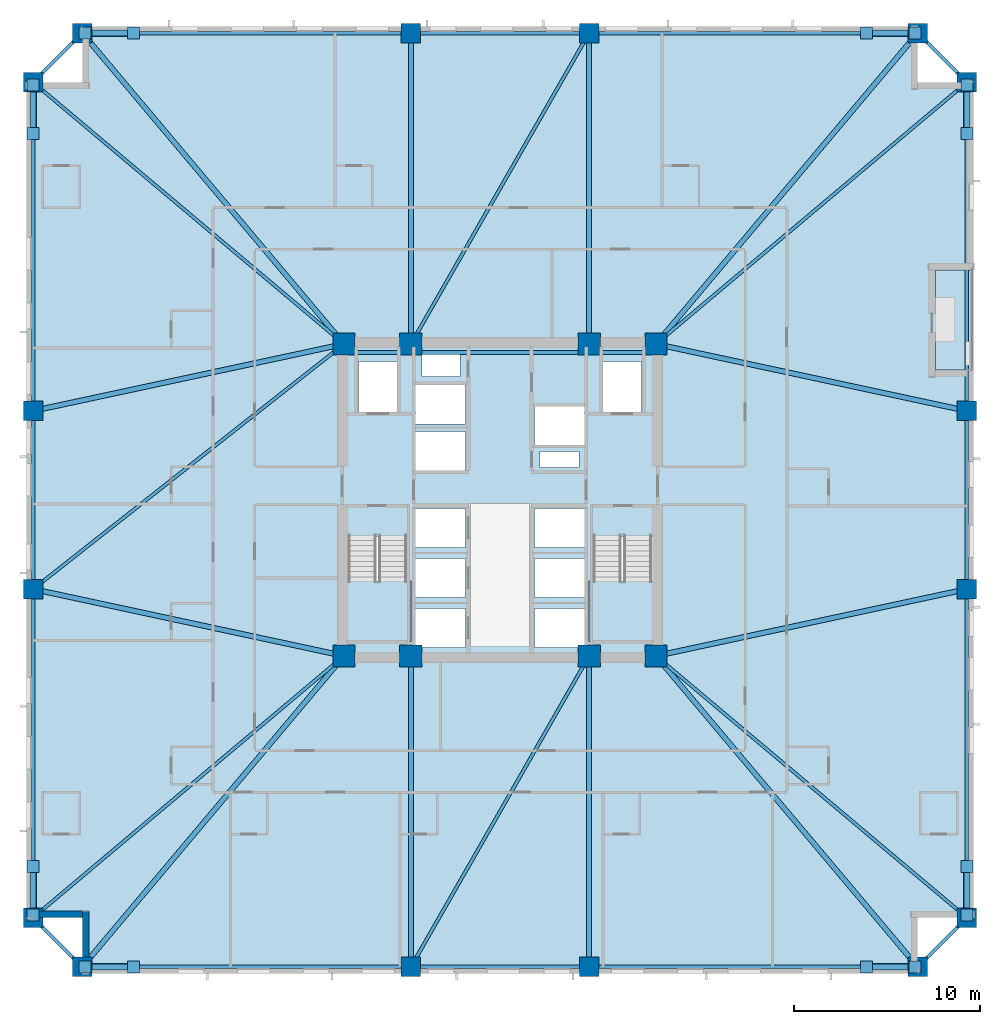
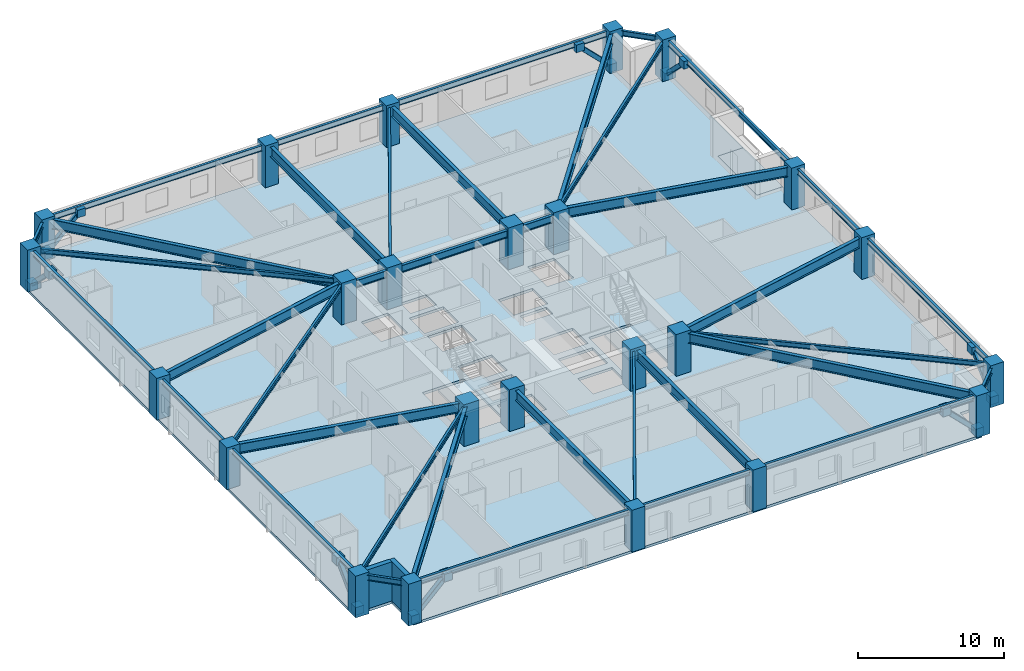
# One storey, part 1 of 12: 38 beams, 24 columns, 16 plates, 8 members, 4 slabs, 2 walls, 2 elements without a shape of their own.
"""IFC4 building model written with IfcOpenShell, lengths in metres."""

import ifcopenshell
import ifcopenshell.guid

model = None  # the IFC model being written
_history = None  # IfcOwnerHistory: only IFC2X3 demands one
_inside = {}  # id of a spatial element -> (the spatial element, [elements in it])
_under = {}  # id of a project, library or spatial element -> (it, [spatial elements below it])
_declared = {}  # id of a project -> (the project, [libraries it declares])
_typed = {}  # id of a type object -> (the type object, [elements of that type])
_made_of = {}  # id of a material, layer set ... -> (it, [elements and type objects made of it])


def new_model(schema):
    """Start an empty IFC model of exactly this schema.

    Asked for "IFC4X3", IfcOpenShell would pick the latest addendum, in which some entities
    have other attributes; the version numbers below select the first issue.
    IFC2X3 requires an IfcOwnerHistory on every rooted entity: one is made here for all.
    """
    global model, _history
    if schema == "IFC4X3":
        model = ifcopenshell.file(schema_version=(4, 3, 0, 0))
    else:
        model = ifcopenshell.file(schema=schema)
    _inside.clear()
    _under.clear()
    _declared.clear()
    _typed.clear()
    _made_of.clear()
    _history = None
    if model.schema == "IFC2X3":
        org = make("IfcOrganization", Name="unknown")
        user = make(
            "IfcPersonAndOrganization",
            ThePerson=make("IfcPerson", FamilyName="unknown"),
            TheOrganization=org,
        )
        app = make(
            "IfcApplication",
            ApplicationDeveloper=org,
            Version="unknown",
            ApplicationFullName="unknown",
            ApplicationIdentifier="unknown",
        )
        _history = make(
            "IfcOwnerHistory",
            OwningUser=user,
            OwningApplication=app,
            ChangeAction="ADDED",
            CreationDate=0,
        )
    return model


def make(cls, **values):
    """One entity of the class cls with the attributes given. An attribute that is None is left unset."""
    return model.create_entity(
        cls, **{name: value for name, value in values.items() if value is not None}
    )


def rooted(cls, **values):
    """An entity with a GlobalId (a new one), such as an element, a storey or a relation."""
    return make(cls, GlobalId=ifcopenshell.guid.new(), OwnerHistory=_history, **values)


def si_unit(unit_type, name, prefix=None):
    """IfcSIUnit, for example si_unit("LENGTHUNIT", "METRE", prefix="MILLI")."""
    return make("IfcSIUnit", UnitType=unit_type, Prefix=prefix, Name=name)


def assignment(units):
    """IfcUnitAssignment: the units of a project."""
    return None if units is None else make("IfcUnitAssignment", Units=units)


def point(xyz):
    """IfcCartesianPoint."""
    return None if xyz is None else make("IfcCartesianPoint", Coordinates=xyz)


def direction(xyz):
    """IfcDirection."""
    return None if xyz is None else make("IfcDirection", DirectionRatios=xyz)


def frame(location, z_axis=None, x_axis=None):
    """IfcAxis2Placement3D, a coordinate frame: its origin and axes. An axis left out is left unset."""
    return make(
        "IfcAxis2Placement3D",
        Location=point(location),
        Axis=direction(z_axis),
        RefDirection=direction(x_axis),
    )


def frame_2d(location, x_axis=None):
    """IfcAxis2Placement2D, a coordinate frame in the plane: its origin and x axis."""
    return make(
        "IfcAxis2Placement2D", Location=point(location), RefDirection=direction(x_axis)
    )


def origin():
    """The frame at (0, 0, 0) with its axes left unset."""
    return frame((0.0, 0.0, 0.0))


def origin_2d():
    """The frame at (0, 0) in the plane with its x axis left unset."""
    return frame_2d((0.0, 0.0))


def place(relative_to, where):
    """IfcLocalPlacement: puts the frame where relative to a parent placement (None: the world)."""
    return make(
        "IfcLocalPlacement", PlacementRelTo=relative_to, RelativePlacement=where
    )


def context(
    kind, dimensions, precision=None, world=None, true_north=None, identifier=None
):
    """IfcGeometricRepresentationContext, for example the 3D "Model" context."""
    return make(
        "IfcGeometricRepresentationContext",
        ContextIdentifier=identifier,
        ContextType=kind,
        CoordinateSpaceDimension=dimensions,
        Precision=precision,
        WorldCoordinateSystem=world,
        TrueNorth=true_north,
    )


def subcontext(parent, identifier, kind, view, scale=None):
    """IfcGeometricRepresentationSubContext, for example "Body" below "Model"."""
    return make(
        "IfcGeometricRepresentationSubContext",
        ContextIdentifier=identifier,
        ContextType=kind,
        ParentContext=parent,
        TargetScale=scale,
        TargetView=view,
    )


def project(units=None, contexts=None):
    """IfcProject with its units and contexts."""
    return rooted(
        "IfcProject",
        Name="project",
        RepresentationContexts=contexts,
        UnitsInContext=assignment(units),
    )


def spatial(cls, under=None, at=None, **own):
    """A site, building, storey or space (cls), placed at a placement, below another one or the project."""
    s = rooted(cls, ObjectPlacement=at, **own)
    if under is not None:
        _under.setdefault(under.id(), (under, []))[1].append(s)
    return s


def polyline(points):
    """IfcPolyline through the points."""
    return make("IfcPolyline", Points=[point(p) for p in points])


def profile(cls, at=None, kind="AREA", **sizes):
    """A parametric profile (cls). Its sizes go by their IFC names, for example OverallWidth=200.0."""
    return make(cls, ProfileType=kind, Position=at, **sizes)


def rectangle(**sizes):
    """IfcRectangleProfileDef."""
    return profile("IfcRectangleProfileDef", **sizes)


def hollow_rectangle(**sizes):
    """IfcRectangleHollowProfileDef."""
    return profile("IfcRectangleHollowProfileDef", **sizes)


def i_section(**sizes):
    """IfcIShapeProfileDef."""
    return profile("IfcIShapeProfileDef", **sizes)


def outline(outer, holes=None, kind="AREA"):
    """IfcArbitraryClosedProfileDef: a profile drawn as a closed curve; with holes, ...WithVoids."""
    if holes is None:
        return make("IfcArbitraryClosedProfileDef", ProfileType=kind, OuterCurve=outer)
    return make(
        "IfcArbitraryProfileDefWithVoids",
        ProfileType=kind,
        OuterCurve=outer,
        InnerCurves=holes,
    )


def extrude(swept, where, along, depth):
    """IfcExtrudedAreaSolid: the profile swept, set in the frame where, extruded along a direction by depth."""
    return make(
        "IfcExtrudedAreaSolid",
        SweptArea=swept,
        Position=where,
        ExtrudedDirection=direction(along),
        Depth=depth,
    )


def shape(context_of_items, identifier, shape_type, items):
    """IfcShapeRepresentation: the items that make up one representation, for example the "Body"."""
    return make(
        "IfcShapeRepresentation",
        ContextOfItems=context_of_items,
        RepresentationIdentifier=identifier,
        RepresentationType=shape_type,
        Items=items,
    )


def material(Name=None, Category=None):
    """IfcMaterial."""
    return make("IfcMaterial", Name=Name, Category=Category)


def layer(
    of_material, thickness, ventilated=None, Name=None, Category=None, Priority=None
):
    """IfcMaterialLayer: one layer of a wall or slab, of a material (None: an air gap)."""
    return make(
        "IfcMaterialLayer",
        Material=of_material,
        LayerThickness=thickness,
        IsVentilated=ventilated,
        Name=Name,
        Category=Category,
        Priority=Priority,
    )


def layer_set(layers, Name=None):
    """IfcMaterialLayerSet."""
    return make("IfcMaterialLayerSet", MaterialLayers=layers, LayerSetName=Name)


def material_profile(
    of_material, cross_section, Name=None, Category=None, Priority=None
):
    """IfcMaterialProfile: a cross section and its material."""
    return make(
        "IfcMaterialProfile",
        Name=Name,
        Material=of_material,
        Profile=cross_section,
        Priority=Priority,
        Category=Category,
    )


def profile_set(profiles, Name=None, composite=None):
    """IfcMaterialProfileSet."""
    return make(
        "IfcMaterialProfileSet",
        Name=Name,
        MaterialProfiles=profiles,
        CompositeProfile=composite,
    )


def made_of(thing, what):
    """Note that an element or type object is made of a material, layer set ...; save() writes the relation."""
    if what is not None:
        _made_of.setdefault(what.id(), (what, []))[1].append(thing)
    return thing


def type_object(cls, material=None, **own):
    """A type object (cls), such as IfcWallType, which elements share."""
    return made_of(rooted(cls, **own), material)


def element(
    cls,
    number,
    at=None,
    inside=None,
    cuts=None,
    type_object=None,
    material=None,
    context=None,
    identifier="Body",
    shape_type=None,
    held_by="IfcProductDefinitionShape",
    body=None,
    shapes=None,
    **own,
):
    """One element of the class cls, such as IfcWall. Its Tag is "e" and its number.

    at: its placement. inside: the storey or other place that contains it. cuts: it is an
    opening in that element (IfcRelVoidsElement). A single representation is given by context,
    identifier, shape_type and body (its items); several are given by shapes. held_by: the class
    of the entity that holds the representations. save() writes the other relations.
    """
    e = rooted(cls, Tag="e%d" % number, ObjectPlacement=at, **own)
    if body is not None:
        shapes = [shape(context, identifier, shape_type, body)]
    if shapes is not None:
        e.Representation = make(held_by, Representations=shapes)
    if inside is not None:
        _inside.setdefault(inside.id(), (inside, []))[1].append(e)
    if cuts is not None:
        rooted(
            "IfcRelVoidsElement", RelatingBuildingElement=cuts, RelatedOpeningElement=e
        )
    if type_object is not None:
        _typed.setdefault(type_object.id(), (type_object, []))[1].append(e)
    return made_of(e, material)


def aggregate(whole, parts):
    """IfcRelAggregates: a whole, such as a stair, and the parts it consists of."""
    return rooted("IfcRelAggregates", RelatingObject=whole, RelatedObjects=parts)


def save(model, path):
    """Write the relations noted so far, then the file.

    IfcRelAggregates (storeys below a building ...), IfcRelContainedInSpatialStructure (elements
    in a storey), IfcRelDefinesByType, IfcRelAssociatesMaterial and IfcRelDeclares: one each for
    every whole, place, type object, material and project.
    """
    for whole, parts in _under.values():
        aggregate(whole, parts)
    for where, things in _inside.values():
        rooted(
            "IfcRelContainedInSpatialStructure",
            RelatedElements=things,
            RelatingStructure=where,
        )
    for kind, things in _typed.values():
        rooted("IfcRelDefinesByType", RelatedObjects=things, RelatingType=kind)
    for what, things in _made_of.values():
        rooted("IfcRelAssociatesMaterial", RelatedObjects=things, RelatingMaterial=what)
    for by, libraries in _declared.values():
        rooted("IfcRelDeclares", RelatingContext=by, RelatedDefinitions=libraries)
    model.write(path)


model = new_model("IFC4")

# Units and contexts
model_context = context("Model", 3, precision=1e-05, world=origin(), true_north=direction((0.0, 1.0)))
body_context = subcontext(model_context, "Body", "Model", "MODEL_VIEW")
ifc_project = project(units=[si_unit("LENGTHUNIT", "METRE"), si_unit("AREAUNIT", "SQUARE_METRE"), si_unit("VOLUMEUNIT", "CUBIC_METRE"), si_unit("PLANEANGLEUNIT", "RADIAN"), si_unit("MASSUNIT", "GRAM", prefix="KILO")], contexts=[model_context])

# Site, building, storey
site_placement = place(None, origin())
site = spatial("IfcSite", under=ifc_project, at=site_placement, CompositionType="ELEMENT")
building_placement = place(site_placement, origin())
building = spatial("IfcBuilding", under=site, at=building_placement, Name="Cairnveth Concourse Tower", CompositionType="ELEMENT")
storey_placement = place(building_placement, frame((0.0, 0.0, 83.0)))
storey = spatial("IfcBuildingStorey", under=building, at=storey_placement, Name="L22", CompositionType="ELEMENT", Elevation=83.0)

# Columns
ifc_material_1 = material(Name="Concrete N80 (80 MPa)", Category="concrete")
ifc_material_profile_1 = material_profile(ifc_material_1, rectangle(XDim=1.199951171875, YDim=1.199951171875, at=origin_2d()), Name="RC-COL-1200x1200")
ifc_profile_set_1 = profile_set([ifc_material_profile_1], Name="Concrete N80 (80 MPa)")
column_type_1 = type_object("IfcColumnType", Name="CORE COLUMN 1200X1200", PredefinedType="COLUMN", material=ifc_profile_set_1)
for number, where, z_axis, x_axis, name in (
    (1, (43.60009765625, 30.60009765625, 0.0), (0.0, 0.0, 1.0), (1.0, 0.0, 0.0), "Column CC1 L22"),
    (2, (47.199951171875, 30.60009765625, 0.0), (0.0, 0.0, 1.0), (1.0, 0.0, 0.0), "Column CC2 L22"),
    (3, (56.800048828125, 30.60009765625, 0.0), (0.0, 0.0, 1.0), (1.0, 0.0, 0.0), "Column CC3 L22"),
    (4, (60.39990234375, 30.60009765625, 0.0), (0.0, 0.0, 1.0), (1.0, 0.0, 0.0), "Column CC4 L22"),
    (5, (43.60009765625, 47.39990234375, 0.0), (0.0, 0.0, 1.0), (1.0, 0.0, 0.0), "Column CC5 L22"),
    (6, (47.199951171875, 47.39990234375, 0.0), (0.0, 0.0, 1.0), (1.0, 0.0, 0.0), "Column CC6 L22"),
    (7, (56.800048828125, 47.39990234375, 0.0), (0.0, 0.0, 1.0), (1.0, 0.0, 0.0), "Column CC7 L22"),
    (8, (60.39990234375, 47.39990234375, 0.0), (0.0, 0.0, 1.0), (1.0, 0.0, 0.0), "Column CC8 L22"),
):
    element("IfcColumn", number, at=place(storey_placement, frame(where, z_axis=z_axis, x_axis=x_axis)), inside=storey, type_object=column_type_1, Name=name, PredefinedType="COLUMN", context=body_context, shape_type="SweptSolid", body=[
        extrude(rectangle(XDim=1.199951171875, YDim=1.199951171875, at=origin_2d()), origin(), (0.0, 0.0, 1.0), 3.5),
    ])
ifc_material_2 = material(Name="Concrete N65 (65 MPa)", Category="concrete")
ifc_material_profile_2 = material_profile(ifc_material_2, rectangle(XDim=1.050048828125, YDim=1.050048828125, at=origin_2d()), Name="RC-COL-1050x1050")
ifc_profile_set_2 = profile_set([ifc_material_profile_2], Name="Concrete N65 (65 MPa)")
column_type_2 = type_object("IfcColumnType", Name="PERIMETER PIER COLUMN 1050X1050", PredefinedType="COLUMN", material=ifc_profile_set_2)
for number, where, z_axis, x_axis, name in (
    (9, (29.5, 13.85009765625, 0.0), (0.0, 0.0, 1.0), (1.0, 0.0, 0.0), "Column P-S1 L22"),
    (10, (47.199951171875, 13.85009765625, 0.0), (0.0, 0.0, 1.0), (1.0, 0.0, 0.0), "Column P-S2 L22"),
    (11, (56.800048828125, 13.85009765625, 0.0), (0.0, 0.0, 1.0), (1.0, 0.0, 0.0), "Column P-S3 L22"),
    (12, (74.5, 13.85009765625, 0.0), (0.0, 0.0, 1.0), (1.0, 0.0, 0.0), "Column P-S4 L22"),
    (13, (77.14990234375, 16.5, 0.0), (0.0, 0.0, 1.0), (0.0, 1.0, 0.0), "Column P-E1 L22"),
    (14, (77.14990234375, 34.199951171875, 0.0), (0.0, 0.0, 1.0), (0.0, 1.0, 0.0), "Column P-E2 L22"),
    (15, (77.14990234375, 43.800048828125, 0.0), (0.0, 0.0, 1.0), (0.0, 1.0, 0.0), "Column P-E3 L22"),
    (16, (77.14990234375, 61.5, 0.0), (0.0, 0.0, 1.0), (0.0, 1.0, 0.0), "Column P-E4 L22"),
    (17, (74.5, 64.14990234375, 0.0), (0.0, 0.0, 1.0), (1.0, 0.0, 0.0), "Column P-N1 L22"),
    (18, (56.800048828125, 64.14990234375, 0.0), (0.0, 0.0, 1.0), (1.0, 0.0, 0.0), "Column P-N2 L22"),
    (19, (47.199951171875, 64.14990234375, 0.0), (0.0, 0.0, 1.0), (1.0, 0.0, 0.0), "Column P-N3 L22"),
    (20, (29.5, 64.14990234375, 0.0), (0.0, 0.0, 1.0), (1.0, 0.0, 0.0), "Column P-N4 L22"),
    (21, (26.85009765625, 61.5, 0.0), (0.0, 0.0, 1.0), (0.0, 1.0, 0.0), "Column P-W1 L22"),
    (22, (26.85009765625, 43.800048828125, 0.0), (0.0, 0.0, 1.0), (0.0, 1.0, 0.0), "Column P-W2 L22"),
    (23, (26.85009765625, 34.199951171875, 0.0), (0.0, 0.0, 1.0), (0.0, 1.0, 0.0), "Column P-W3 L22"),
    (24, (26.85009765625, 16.5, 0.0), (0.0, 0.0, 1.0), (0.0, 1.0, 0.0), "Column P-W4 L22"),
):
    element("IfcColumn", number, at=place(storey_placement, frame(where, z_axis=z_axis, x_axis=x_axis)), inside=storey, type_object=column_type_2, Name=name, PredefinedType="COLUMN", context=body_context, shape_type="SweptSolid", body=[
        extrude(rectangle(XDim=1.050048828125, YDim=1.050048828125, at=origin_2d()), origin(), (0.0, 0.0, 1.0), 3.5),
    ])

# Beams
ifc_material_3 = material(Name="Steel Grade 350", Category="steel")
ifc_material_profile_3 = material_profile(ifc_material_3, i_section(OverallWidth=0.22802734375, OverallDepth=0.60693359375, WebThickness=0.01123046875, FlangeThickness=0.017333984375, FilletRadius=0.013916015625, at=origin_2d()), Name="610UB113")
ifc_profile_set_3 = profile_set([ifc_material_profile_3], Name="Steel Grade 350")
beam_type_1 = type_object("IfcBeamType", Name="CORE TIE BEAM 610UB113", PredefinedType="T_BEAM", material=ifc_profile_set_3)
for number, where, z_axis, x_axis, name in (
    (25, (43.60009765625, 46.949951171875, 2.9765625), (1.0, 0.0, 0.0), (0.0, 1.0, 0.0), "Beam CT-N1 L22"),
    (26, (56.800048828125, 46.949951171875, 2.9765625), (1.0, 0.0, 0.0), (0.0, 1.0, 0.0), "Beam CT-N3 L22"),
):
    element("IfcBeam", number, at=place(storey_placement, frame(where, z_axis=z_axis, x_axis=x_axis)), inside=storey, type_object=beam_type_1, Name=name, PredefinedType="T_BEAM", context=body_context, shape_type="SweptSolid", body=[
        extrude(i_section(OverallWidth=0.22802734375, OverallDepth=0.60693359375, WebThickness=0.01123046875, FlangeThickness=0.017333984375, FilletRadius=0.013916015625, at=origin_2d()), origin(), (0.0, 0.0, 1.0), 3.599853515625),
    ])
beam_1_placement = place(storey_placement, frame((47.199951171875, 46.949951171875, 2.9765625), z_axis=(1.0, 0.0, 0.0), x_axis=(0.0, 1.0, 0.0)))
element("IfcBeam", 27, at=beam_1_placement, inside=storey, type_object=beam_type_1, Name="Beam CT-N2 L22", PredefinedType="T_BEAM", context=body_context, shape_type="SweptSolid", body=[
    extrude(i_section(OverallWidth=0.22802734375, OverallDepth=0.60693359375, WebThickness=0.01123046875, FlangeThickness=0.017333984375, FilletRadius=0.013916015625, at=origin_2d()), origin(), (0.0, 0.0, 1.0), 9.60009765625),
])
ifc_material_profile_4 = material_profile(ifc_material_3, i_section(OverallWidth=0.177978515625, OverallDepth=0.406005859375, WebThickness=0.0078125, FlangeThickness=0.0126953125, FilletRadius=0.010986328125, at=origin_2d()), Name="410UB59.7")
ifc_profile_set_4 = profile_set([ifc_material_profile_4], Name="Steel Grade 350")
beam_type_2 = type_object("IfcBeamType", Name="ZONE 1 FLOOR JOIST 410UB59.7", PredefinedType="JOIST", material=ifc_profile_set_4)
for number, where, z_axis, x_axis, name in (
    (28, (26.85009765625, 16.5, 3.076904296875), (0.765027427674, 0.643997697905, 0.0), (-0.643997697905, 0.765027427674, 0.0), "Beam FJ-CSW2 L22"),
    (29, (77.14990234375, 16.5, 3.076904296875), (-0.765027427674, 0.643997697905, 0.0), (-0.643997697905, -0.765027427674, 0.0), "Beam FJ-CSE2 L22"),
    (30, (77.14990234375, 61.5, 3.076904296875), (-0.765027427674, -0.643997697905, 0.0), (0.643997697905, -0.765027427674, 0.0), "Beam FJ-CNE2 L22"),
    (31, (26.85009765625, 61.5, 3.076904296875), (0.765027427674, -0.643997697905, 0.0), (0.643997697905, 0.765027427674, 0.0), "Beam FJ-CNW2 L22"),
):
    element("IfcBeam", number, at=place(storey_placement, frame(where, z_axis=z_axis, x_axis=x_axis)), inside=storey, type_object=beam_type_2, Name=name, PredefinedType="JOIST", context=body_context, shape_type="SweptSolid", body=[
        extrude(i_section(OverallWidth=0.177978515625, OverallDepth=0.406005859375, WebThickness=0.0078125, FlangeThickness=0.0126953125, FilletRadius=0.010986328125, at=origin_2d()), origin(), (0.0, 0.0, 1.0), 21.89453125),
    ])
for number, where, z_axis, x_axis, name in (
    (32, (47.199951171875, 13.85009765625, 3.076904296875), (0.497257970706, 0.86760273776, 0.0), (-0.86760273776, 0.497257970706, 0.0), "Beam FJ-S-M1 L22"),
    (33, (47.199951171875, 47.39990234375, 3.076904296875), (0.497257970706, 0.86760273776, 0.0), (-0.86760273776, 0.497257970706, 0.0), "Beam FJ-N-M1 L22"),
):
    element("IfcBeam", number, at=place(storey_placement, frame(where, z_axis=z_axis, x_axis=x_axis)), inside=storey, type_object=beam_type_2, Name=name, PredefinedType="JOIST", context=body_context, shape_type="SweptSolid", body=[
        extrude(i_section(OverallWidth=0.177978515625, OverallDepth=0.406005859375, WebThickness=0.0078125, FlangeThickness=0.0126953125, FilletRadius=0.010986328125, at=origin_2d()), origin(), (0.0, 0.0, 1.0), 19.30615234375),
    ])
beam_2_placement = place(storey_placement, frame((26.85009765625, 34.199951171875, 3.076904296875), z_axis=(0.785423705995, 0.618958481694, 0.0), x_axis=(-0.618958481694, 0.785423705995, 0.0)))
element("IfcBeam", 34, at=beam_2_placement, inside=storey, type_object=beam_type_2, Name="Beam FJ-W-M1 L22", PredefinedType="JOIST", context=body_context, shape_type="SweptSolid", body=[
    extrude(i_section(OverallWidth=0.177978515625, OverallDepth=0.406005859375, WebThickness=0.0078125, FlangeThickness=0.0126953125, FilletRadius=0.010986328125, at=origin_2d()), origin(), (0.0, 0.0, 1.0), 21.326171875),
])

# Members
ifc_material_4 = material(Name="Steel C350L0 (350 MPa)", Category="steel")
ifc_material_profile_5 = material_profile(ifc_material_4, hollow_rectangle(XDim=0.35009765625, YDim=0.35009765625, WallThickness=0.01611328125, InnerFilletRadius=0.01611328125, OuterFilletRadius=0.031982421875, at=origin_2d()), Name="350x350x16.0SHS")
ifc_profile_set_5 = profile_set([ifc_material_profile_5], Name="Steel C350L0 (350 MPa)")
member_type = type_object("IfcMemberType", Name="ZONE 1 PIER BRACE 350X350X16SHS", PredefinedType="BRACE", material=ifc_profile_set_5)
for number, where, z_axis, x_axis, name in (
    (35, (29.64990234375, 13.85009765625, 0.25), (0.709834195787, 0.0, 0.704368805735), (0.0, 1.0, 0.0), "Structural Brace PB-S1 L22"),
    (36, (74.35009765625, 13.85009765625, 0.25), (-0.709834195787, 0.0, 0.704368805735), (0.0, -1.0, 0.0), "Structural Brace PB-S2 L22"),
    (37, (29.64990234375, 64.14990234375, 0.25), (0.709834195787, 0.0, 0.704368805735), (0.0, 1.0, 0.0), "Structural Brace PB-N1 L22"),
    (38, (74.35009765625, 64.14990234375, 0.25), (-0.709834195787, 0.0, 0.704368805735), (0.0, -1.0, 0.0), "Structural Brace PB-N2 L22"),
    (39, (26.85009765625, 16.64990234375, 0.25), (0.0, 0.709834195787, 0.704368805735), (-1.0, 0.0, 0.0), "Structural Brace PB-W1 L22"),
    (40, (26.85009765625, 61.35009765625, 0.25), (0.0, -0.709834195787, 0.704368805735), (1.0, 0.0, 0.0), "Structural Brace PB-W2 L22"),
    (41, (77.14990234375, 16.64990234375, 0.25), (0.0, 0.709834195787, 0.704368805735), (-1.0, 0.0, 0.0), "Structural Brace PB-E1 L22"),
    (42, (77.14990234375, 61.35009765625, 0.25), (0.0, -0.709834195787, 0.704368805735), (1.0, 0.0, 0.0), "Structural Brace PB-E2 L22"),
):
    element("IfcMember", number, at=place(storey_placement, frame(where, z_axis=z_axis, x_axis=x_axis)), inside=storey, type_object=member_type, Name=name, PredefinedType="BRACE", context=body_context, shape_type="SweptSolid", body=[
        extrude(hollow_rectangle(XDim=0.35009765625, YDim=0.35009765625, WallThickness=0.01611328125, InnerFilletRadius=0.01611328125, OuterFilletRadius=0.031982421875, at=origin_2d()), origin(), (0.0, 0.0, 1.0), 3.6630859375),
    ])

# Beams
ifc_material_profile_6 = material_profile(ifc_material_3, i_section(OverallWidth=0.27490234375, OverallDepth=0.81591796875, WebThickness=0.011962890625, FlangeThickness=0.028076171875, at=origin_2d()), Name="800WB192")
ifc_profile_set_6 = profile_set([ifc_material_profile_6], Name="Steel Grade 350")
beam_type_3 = type_object("IfcBeamType", Name="ZONE 1 RADIAL GIRDER 800WB192", PredefinedType="BEAM", material=ifc_profile_set_6)
for number, where, z_axis, x_axis, name in (
    (43, (47.199951171875, 13.85009765625, 2.8720703125), (0.0, 1.0, 0.0), (-1.0, 0.0, 0.0), "Beam RG-S1 L22"),
    (44, (56.800048828125, 13.85009765625, 2.8720703125), (0.0, 1.0, 0.0), (-1.0, 0.0, 0.0), "Beam RG-S2 L22"),
    (45, (47.199951171875, 47.39990234375, 2.8720703125), (0.0, 1.0, 0.0), (-1.0, 0.0, 0.0), "Beam RG-N1 L22"),
    (46, (56.800048828125, 47.39990234375, 2.8720703125), (0.0, 1.0, 0.0), (-1.0, 0.0, 0.0), "Beam RG-N2 L22"),
):
    element("IfcBeam", number, at=place(storey_placement, frame(where, z_axis=z_axis, x_axis=x_axis)), inside=storey, type_object=beam_type_3, Name=name, PredefinedType="BEAM", context=body_context, shape_type="SweptSolid", body=[
        extrude(i_section(OverallWidth=0.27490234375, OverallDepth=0.81591796875, WebThickness=0.011962890625, FlangeThickness=0.028076171875, at=origin_2d()), origin(), (0.0, 0.0, 1.0), 16.75),
    ])
for number, where, z_axis, x_axis, name in (
    (47, (26.85009765625, 34.199951171875, 2.8720703125), (0.977675861524, -0.210118799239, 0.0), (0.210118799239, 0.977675861524, 0.0), "Beam RG-W1 L22"),
    (48, (26.85009765625, 43.800048828125, 2.8720703125), (0.977675861524, 0.210118799239, 0.0), (-0.210118799239, 0.977675861524, 0.0), "Beam RG-W2 L22"),
    (49, (60.39990234375, 30.60009765625, 2.8720703125), (0.977675861524, 0.210118799239, 0.0), (-0.210118799239, 0.977675861524, 0.0), "Beam RG-E1 L22"),
    (50, (60.39990234375, 47.39990234375, 2.8720703125), (0.977675861524, -0.210118799239, 0.0), (0.210118799239, 0.977675861524, 0.0), "Beam RG-E2 L22"),
):
    element("IfcBeam", number, at=place(storey_placement, frame(where, z_axis=z_axis, x_axis=x_axis)), inside=storey, type_object=beam_type_3, Name=name, PredefinedType="BEAM", context=body_context, shape_type="SweptSolid", body=[
        extrude(i_section(OverallWidth=0.27490234375, OverallDepth=0.81591796875, WebThickness=0.011962890625, FlangeThickness=0.028076171875, at=origin_2d()), origin(), (0.0, 0.0, 1.0), 17.132568359375),
    ])
for number, where, z_axis, x_axis, name in (
    (51, (29.5, 13.85009765625, 2.8720703125), (0.643997697905, 0.765027427674, 0.0), (-0.765027427674, 0.643997697905, 0.0), "Beam RG-CSW L22"),
    (52, (74.5, 13.85009765625, 2.8720703125), (-0.643997697905, 0.765027427674, 0.0), (-0.765027427674, -0.643997697905, 0.0), "Beam RG-CSE L22"),
    (53, (74.5, 64.14990234375, 2.8720703125), (-0.643997697905, -0.765027427674, 0.0), (0.765027427674, -0.643997697905, 0.0), "Beam RG-CNE L22"),
    (54, (29.5, 64.14990234375, 2.8720703125), (0.643997697905, -0.765027427674, 0.0), (0.765027427674, 0.643997697905, 0.0), "Beam RG-CNW L22"),
):
    element("IfcBeam", number, at=place(storey_placement, frame(where, z_axis=z_axis, x_axis=x_axis)), inside=storey, type_object=beam_type_3, Name=name, PredefinedType="BEAM", context=body_context, shape_type="SweptSolid", body=[
        extrude(i_section(OverallWidth=0.27490234375, OverallDepth=0.81591796875, WebThickness=0.011962890625, FlangeThickness=0.028076171875, at=origin_2d()), origin(), (0.0, 0.0, 1.0), 21.89453125),
    ])
ifc_material_profile_7 = material_profile(ifc_material_3, i_section(OverallWidth=0.19091796875, OverallDepth=0.4599609375, WebThickness=0.010009765625, FlangeThickness=0.01611328125, FilletRadius=0.010986328125, at=origin_2d()), Name="460UB82.1")
ifc_profile_set_7 = profile_set([ifc_material_profile_7], Name="Steel Grade 350")
beam_type_4 = type_object("IfcBeamType", Name="ZONE 1 SPANDREL BEAM 460UB82.1", PredefinedType="SPANDREL", material=ifc_profile_set_7)
beam_3_placement = place(storey_placement, frame((29.5, 13.85009765625, 3.050048828125), z_axis=(1.0, 0.0, 0.0), x_axis=(0.0, 1.0, 0.0)))
element("IfcBeam", 55, at=beam_3_placement, inside=storey, type_object=beam_type_4, Name="Beam SP-S1 L22", PredefinedType="SPANDREL", context=body_context, shape_type="SweptSolid", body=[
    extrude(i_section(OverallWidth=0.19091796875, OverallDepth=0.4599609375, WebThickness=0.010009765625, FlangeThickness=0.01611328125, FilletRadius=0.010986328125, at=origin_2d()), origin(), (0.0, 0.0, 1.0), 17.699951171875),
])
beam_4_placement = place(storey_placement, frame((47.199951171875, 13.85009765625, 3.050048828125), z_axis=(1.0, 0.0, 0.0), x_axis=(0.0, 1.0, 0.0)))
element("IfcBeam", 56, at=beam_4_placement, inside=storey, type_object=beam_type_4, Name="Beam SP-S2 L22", PredefinedType="SPANDREL", context=body_context, shape_type="SweptSolid", body=[
    extrude(i_section(OverallWidth=0.19091796875, OverallDepth=0.4599609375, WebThickness=0.010009765625, FlangeThickness=0.01611328125, FilletRadius=0.010986328125, at=origin_2d()), origin(), (0.0, 0.0, 1.0), 9.60009765625),
])
for number, where, z_axis, x_axis, name in (
    (57, (56.800048828125, 13.85009765625, 3.050048828125), (1.0, 0.0, 0.0), (0.0, 1.0, 0.0), "Beam SP-S3 L22"),
    (58, (29.5, 64.14990234375, 3.050048828125), (1.0, 0.0, 0.0), (0.0, 1.0, 0.0), "Beam SP-N1 L22"),
):
    element("IfcBeam", number, at=place(storey_placement, frame(where, z_axis=z_axis, x_axis=x_axis)), inside=storey, type_object=beam_type_4, Name=name, PredefinedType="SPANDREL", context=body_context, shape_type="SweptSolid", body=[
        extrude(i_section(OverallWidth=0.19091796875, OverallDepth=0.4599609375, WebThickness=0.010009765625, FlangeThickness=0.01611328125, FilletRadius=0.010986328125, at=origin_2d()), origin(), (0.0, 0.0, 1.0), 17.699951171875),
    ])
beam_5_placement = place(storey_placement, frame((47.199951171875, 64.14990234375, 3.050048828125), z_axis=(1.0, 0.0, 0.0), x_axis=(0.0, 1.0, 0.0)))
element("IfcBeam", 59, at=beam_5_placement, inside=storey, type_object=beam_type_4, Name="Beam SP-N2 L22", PredefinedType="SPANDREL", context=body_context, shape_type="SweptSolid", body=[
    extrude(i_section(OverallWidth=0.19091796875, OverallDepth=0.4599609375, WebThickness=0.010009765625, FlangeThickness=0.01611328125, FilletRadius=0.010986328125, at=origin_2d()), origin(), (0.0, 0.0, 1.0), 9.60009765625),
])
for number, where, z_axis, x_axis, name in (
    (60, (56.800048828125, 64.14990234375, 3.050048828125), (1.0, 0.0, 0.0), (0.0, 1.0, 0.0), "Beam SP-N3 L22"),
    (61, (26.85009765625, 16.5, 3.050048828125), (0.0, 1.0, 0.0), (-1.0, 0.0, 0.0), "Beam SP-W1 L22"),
):
    element("IfcBeam", number, at=place(storey_placement, frame(where, z_axis=z_axis, x_axis=x_axis)), inside=storey, type_object=beam_type_4, Name=name, PredefinedType="SPANDREL", context=body_context, shape_type="SweptSolid", body=[
        extrude(i_section(OverallWidth=0.19091796875, OverallDepth=0.4599609375, WebThickness=0.010009765625, FlangeThickness=0.01611328125, FilletRadius=0.010986328125, at=origin_2d()), origin(), (0.0, 0.0, 1.0), 17.699951171875),
    ])
beam_6_placement = place(storey_placement, frame((26.85009765625, 34.199951171875, 3.050048828125), z_axis=(0.0, 1.0, 0.0), x_axis=(-1.0, 0.0, 0.0)))
element("IfcBeam", 62, at=beam_6_placement, inside=storey, type_object=beam_type_4, Name="Beam SP-W2 L22", PredefinedType="SPANDREL", context=body_context, shape_type="SweptSolid", body=[
    extrude(i_section(OverallWidth=0.19091796875, OverallDepth=0.4599609375, WebThickness=0.010009765625, FlangeThickness=0.01611328125, FilletRadius=0.010986328125, at=origin_2d()), origin(), (0.0, 0.0, 1.0), 9.60009765625),
])
for number, where, z_axis, x_axis, name in (
    (63, (26.85009765625, 43.800048828125, 3.050048828125), (0.0, 1.0, 0.0), (-1.0, 0.0, 0.0), "Beam SP-W3 L22"),
    (64, (77.14990234375, 16.5, 3.050048828125), (0.0, 1.0, 0.0), (-1.0, 0.0, 0.0), "Beam SP-E1 L22"),
):
    element("IfcBeam", number, at=place(storey_placement, frame(where, z_axis=z_axis, x_axis=x_axis)), inside=storey, type_object=beam_type_4, Name=name, PredefinedType="SPANDREL", context=body_context, shape_type="SweptSolid", body=[
        extrude(i_section(OverallWidth=0.19091796875, OverallDepth=0.4599609375, WebThickness=0.010009765625, FlangeThickness=0.01611328125, FilletRadius=0.010986328125, at=origin_2d()), origin(), (0.0, 0.0, 1.0), 17.699951171875),
    ])
beam_7_placement = place(storey_placement, frame((77.14990234375, 34.199951171875, 3.050048828125), z_axis=(0.0, 1.0, 0.0), x_axis=(-1.0, 0.0, 0.0)))
element("IfcBeam", 65, at=beam_7_placement, inside=storey, type_object=beam_type_4, Name="Beam SP-E2 L22", PredefinedType="SPANDREL", context=body_context, shape_type="SweptSolid", body=[
    extrude(i_section(OverallWidth=0.19091796875, OverallDepth=0.4599609375, WebThickness=0.010009765625, FlangeThickness=0.01611328125, FilletRadius=0.010986328125, at=origin_2d()), origin(), (0.0, 0.0, 1.0), 9.60009765625),
])
beam_8_placement = place(storey_placement, frame((77.14990234375, 43.800048828125, 3.050048828125), z_axis=(0.0, 1.0, 0.0), x_axis=(-1.0, 0.0, 0.0)))
element("IfcBeam", 66, at=beam_8_placement, inside=storey, type_object=beam_type_4, Name="Beam SP-E3 L22", PredefinedType="SPANDREL", context=body_context, shape_type="SweptSolid", body=[
    extrude(i_section(OverallWidth=0.19091796875, OverallDepth=0.4599609375, WebThickness=0.010009765625, FlangeThickness=0.01611328125, FilletRadius=0.010986328125, at=origin_2d()), origin(), (0.0, 0.0, 1.0), 17.699951171875),
])
for number, where, z_axis, x_axis, name in (
    (67, (26.85009765625, 16.5, 3.050048828125), (0.707106781187, -0.707106781187, 0.0), (0.707106781187, 0.707106781187, 0.0), "Beam SP-SW L22"),
    (68, (74.5, 13.85009765625, 3.050048828125), (0.707106781187, 0.707106781187, 0.0), (-0.707106781187, 0.707106781187, 0.0), "Beam SP-SE L22"),
    (69, (74.5, 64.14990234375, 3.050048828125), (0.707106781187, -0.707106781187, 0.0), (0.707106781187, 0.707106781187, 0.0), "Beam SP-NE L22"),
    (70, (26.85009765625, 61.5, 3.050048828125), (0.707106781187, 0.707106781187, 0.0), (-0.707106781187, 0.707106781187, 0.0), "Beam SP-NW L22"),
):
    element("IfcBeam", number, at=place(storey_placement, frame(where, z_axis=z_axis, x_axis=x_axis)), inside=storey, type_object=beam_type_4, Name=name, PredefinedType="SPANDREL", context=body_context, shape_type="SweptSolid", body=[
        extrude(i_section(OverallWidth=0.19091796875, OverallDepth=0.4599609375, WebThickness=0.010009765625, FlangeThickness=0.01611328125, FilletRadius=0.010986328125, at=origin_2d()), origin(), (0.0, 0.0, 1.0), 3.74755859375),
    ])

# Slab
ifc_material_5 = material(Name="Concrete N50 (50 MPa)", Category="concrete")
ifc_layer_1 = layer(ifc_material_5, 0.219970703125)
ifc_layer_set_1 = layer_set([ifc_layer_1], Name="Concrete N50 (50 MPa)")
slab_type_1 = type_object("IfcSlabType", Name="LOWER TOWER COMPOSITE SLAB 220", PredefinedType="FLOOR", material=ifc_layer_set_1)
slab_1_placement = place(storey_placement, frame((0.0, 0.0, -0.219970703125)))
element("IfcSlab", 71, at=slab_1_placement, inside=storey, type_object=slab_type_1, Name="Tower Floor Slab L22", PredefinedType="FLOOR", context=body_context, shape_type="SweptSolid", body=[
    extrude(outline(polyline([(77.5, 46.0), (75.449951171875, 46.0), (75.449951171875, 51.39990234375), (77.5, 51.39990234375), (77.5, 61.5), (74.5, 61.5), (74.5, 64.5), (29.5, 64.5), (29.5, 61.5), (26.5, 61.5), (26.5, 16.5), (29.5, 16.5), (29.5, 13.5), (74.5, 13.5), (74.5, 16.5), (77.5, 16.5), (77.5, 46.0)]), holes=[polyline([(43.760009765625, 31.360107421875), (47.06005859375, 31.360107421875), (47.06005859375, 37.0400390625), (43.760009765625, 37.0400390625), (43.760009765625, 31.360107421875)]), polyline([(56.93994140625, 31.360107421875), (60.239990234375, 31.360107421875), (60.239990234375, 37.0400390625), (56.93994140625, 37.0400390625), (56.93994140625, 31.360107421875)]), polyline([(44.3701171875, 43.75), (46.469970703125, 43.75), (46.469970703125, 46.449951171875), (44.3701171875, 46.449951171875), (44.3701171875, 43.75)]), polyline([(57.530029296875, 43.75), (59.6298828125, 43.75), (59.6298828125, 46.449951171875), (57.530029296875, 46.449951171875), (57.530029296875, 43.75)]), polyline([(47.449951171875, 31.050048828125), (50.14990234375, 31.050048828125), (50.14990234375, 33.14990234375), (47.449951171875, 33.14990234375), (47.449951171875, 31.050048828125)]), polyline([(47.449951171875, 33.75), (50.14990234375, 33.75), (50.14990234375, 35.85009765625), (47.449951171875, 35.85009765625), (47.449951171875, 33.75)]), polyline([(47.449951171875, 36.449951171875), (50.14990234375, 36.449951171875), (50.14990234375, 38.550048828125), (47.449951171875, 38.550048828125), (47.449951171875, 36.449951171875)]), polyline([(53.85009765625, 31.050048828125), (56.550048828125, 31.050048828125), (56.550048828125, 33.14990234375), (53.85009765625, 33.14990234375), (53.85009765625, 31.050048828125)]), polyline([(53.85009765625, 33.75), (56.550048828125, 33.75), (56.550048828125, 35.85009765625), (53.85009765625, 35.85009765625), (53.85009765625, 33.75)]), polyline([(53.85009765625, 36.449951171875), (56.550048828125, 36.449951171875), (56.550048828125, 38.550048828125), (53.85009765625, 38.550048828125), (53.85009765625, 36.449951171875)]), polyline([(47.449951171875, 40.60009765625), (50.14990234375, 40.60009765625), (50.14990234375, 42.699951171875), (47.449951171875, 42.699951171875), (47.449951171875, 40.60009765625)]), polyline([(47.449951171875, 43.10009765625), (50.14990234375, 43.10009765625), (50.14990234375, 45.199951171875), (47.449951171875, 45.199951171875), (47.449951171875, 43.10009765625)]), polyline([(53.85009765625, 41.949951171875), (56.550048828125, 41.949951171875), (56.550048828125, 44.050048828125), (53.85009765625, 44.050048828125), (53.85009765625, 41.949951171875)]), polyline([(47.800048828125, 45.64990234375), (49.85009765625, 45.64990234375), (49.85009765625, 47.050048828125), (47.800048828125, 47.050048828125), (47.800048828125, 45.64990234375)]), polyline([(54.14990234375, 40.75), (56.25, 40.75), (56.25, 41.6201171875), (54.14990234375, 41.6201171875), (54.14990234375, 40.75)])]), origin(), (0.0, 0.0, 1.0), 0.219970703125),
])

# Plates
ifc_layer_2 = layer(ifc_material_3, 0.031982421875)
ifc_layer_set_2 = layer_set([ifc_layer_2], Name="Steel Grade 350")
plate_type = type_object("IfcPlateType", Name="PERIMETER BRACE GUSSET PLATE 32", PredefinedType="USERDEFINED", material=ifc_layer_set_2)
for number, where, z_axis, x_axis, name in (
    (72, (29.64990234375, 13.85009765625, -0.06982421875), (0.0, 0.0, 1.0), (1.0, 0.0, 0.0), "Structural Node Plate 0333 L22"),
    (73, (32.25, 13.85009765625, 2.51025390625), (0.0, 0.0, 1.0), (1.0, 0.0, 0.0), "Structural Node Plate 0334 L22"),
    (74, (74.35009765625, 13.85009765625, -0.06982421875), (0.0, 0.0, 1.0), (1.0, 0.0, 0.0), "Structural Node Plate 0335 L22"),
    (75, (71.75, 13.85009765625, 2.51025390625), (0.0, 0.0, 1.0), (1.0, 0.0, 0.0), "Structural Node Plate 0336 L22"),
    (76, (29.64990234375, 64.14990234375, -0.06982421875), (0.0, 0.0, 1.0), (1.0, 0.0, 0.0), "Structural Node Plate 0337 L22"),
    (77, (32.25, 64.14990234375, 2.51025390625), (0.0, 0.0, 1.0), (1.0, 0.0, 0.0), "Structural Node Plate 0338 L22"),
    (78, (74.35009765625, 64.14990234375, -0.06982421875), (0.0, 0.0, 1.0), (1.0, 0.0, 0.0), "Structural Node Plate 0339 L22"),
    (79, (71.75, 64.14990234375, 2.51025390625), (0.0, 0.0, 1.0), (1.0, 0.0, 0.0), "Structural Node Plate 0340 L22"),
    (80, (26.85009765625, 16.64990234375, -0.06982421875), (0.0, 0.0, 1.0), (1.0, 0.0, 0.0), "Structural Node Plate 0341 L22"),
    (81, (26.85009765625, 19.25, 2.51025390625), (0.0, 0.0, 1.0), (1.0, 0.0, 0.0), "Structural Node Plate 0342 L22"),
    (82, (26.85009765625, 61.35009765625, -0.06982421875), (0.0, 0.0, 1.0), (1.0, 0.0, 0.0), "Structural Node Plate 0343 L22"),
    (83, (26.85009765625, 58.75, 2.51025390625), (0.0, 0.0, 1.0), (1.0, 0.0, 0.0), "Structural Node Plate 0344 L22"),
    (84, (77.14990234375, 16.64990234375, -0.06982421875), (0.0, 0.0, 1.0), (1.0, 0.0, 0.0), "Structural Node Plate 0345 L22"),
    (85, (77.14990234375, 19.25, 2.51025390625), (0.0, 0.0, 1.0), (1.0, 0.0, 0.0), "Structural Node Plate 0346 L22"),
    (86, (77.14990234375, 61.35009765625, -0.06982421875), (0.0, 0.0, 1.0), (1.0, 0.0, 0.0), "Structural Node Plate 0347 L22"),
    (87, (77.14990234375, 58.75, 2.51025390625), (0.0, 0.0, 1.0), (1.0, 0.0, 0.0), "Structural Node Plate 0348 L22"),
):
    element("IfcPlate", number, at=place(storey_placement, frame(where, z_axis=z_axis, x_axis=x_axis)), inside=storey, type_object=plate_type, Name=name, ObjectType="GUSSET PLATE", PredefinedType="USERDEFINED", context=body_context, shape_type="SweptSolid", body=[
        extrude(rectangle(XDim=0.639892578125, YDim=0.639892578125, at=origin_2d()), origin(), (0.0, 0.0, 1.0), 0.639892578125),
    ])

# Slab
ifc_layer_3 = layer(ifc_material_5, 0.18994140625)
ifc_layer_set_3 = layer_set([ifc_layer_3], Name="Concrete N50 (50 MPa)")
slab_type_2 = type_object("IfcSlabType", Name="SPIRAL OUTDOOR TERRACE SLAB 190", PredefinedType="FLOOR", material=ifc_layer_set_3)
slab_2_placement = place(storey_placement, frame((0.0, 0.0, -0.18994140625)))
element("IfcSlab", 88, at=slab_2_placement, inside=storey, type_object=slab_type_2, Name="Spiral Terrace Slab L22", PredefinedType="FLOOR", context=body_context, shape_type="SweptSolid", body=[
    extrude(outline(polyline([(75.449951171875, 46.0), (77.5, 46.0), (77.5, 51.39990234375), (75.449951171875, 51.39990234375), (75.449951171875, 46.0)])), origin(), (0.0, 0.0, 1.0), 0.18994140625),
])

# Stair, slab
ifc_material_6 = material(Name="Precast concrete N50 (50 MPa)", Category="concrete")
stair_type = type_object("IfcStairType", Name="CORE DOG-LEG FIRE STAIR 1500", PredefinedType="HALF_TURN_STAIR", material=ifc_material_6)
stair_1_placement = place(storey_placement, origin())
stair_1 = element("IfcStair", 89, at=stair_1_placement, inside=storey, type_object=stair_type, Name="L22 Fire-Isolated Stair ST-1", PredefinedType="HALF_TURN_STAIR")
ifc_layer_4 = layer(ifc_material_5, 0.199951171875)
ifc_layer_set_4 = layer_set([ifc_layer_4], Name="Concrete N50 (50 MPa)")
slab_type_3 = type_object("IfcSlabType", Name="STAIR HALF LANDING SLAB 200", PredefinedType="LANDING", material=ifc_layer_set_4)
slab_3_placement = place(storey_placement, frame((0.0, 0.0, 1.550048828125)))
slab_3 = element("IfcSlab", 90, at=slab_3_placement, type_object=slab_type_3, Name="ST-1 landing 1", PredefinedType="LANDING", context=body_context, shape_type="SweptSolid", body=[
    extrude(outline(polyline([(43.6201171875, 34.639892578125), (43.6201171875, 31.3701171875), (47.199951171875, 31.3701171875), (47.199951171875, 34.639892578125), (43.6201171875, 34.639892578125)])), origin(), (0.0, 0.0, 1.0), 0.199951171875),
])
aggregate(stair_1, [slab_3])

stair_2_placement = place(storey_placement, origin())
stair_2 = element("IfcStair", 91, at=stair_2_placement, inside=storey, type_object=stair_type, Name="L22 Fire-Isolated Stair ST-2", PredefinedType="HALF_TURN_STAIR")
slab_4_placement = place(storey_placement, frame((0.0, 0.0, 1.550048828125)))
slab_4 = element("IfcSlab", 92, at=slab_4_placement, type_object=slab_type_3, Name="ST-2 landing 1", PredefinedType="LANDING", context=body_context, shape_type="SweptSolid", body=[
    extrude(outline(polyline([(56.800048828125, 34.639892578125), (56.800048828125, 31.3701171875), (60.3798828125, 31.3701171875), (60.3798828125, 34.639892578125), (56.800048828125, 34.639892578125)])), origin(), (0.0, 0.0, 1.0), 0.199951171875),
])
aggregate(stair_2, [slab_4])

# Walls
ifc_material_7 = material(Name="Hawthorn Red-Ochre Fired Clay Brick Masonry", Category="masonry")
ifc_layer_5 = layer(ifc_material_7, 0.360107421875)
ifc_layer_set_5 = layer_set([ifc_layer_5], Name="Hawthorn Red-Ochre Fired Clay Brick Masonry")
wall_type = type_object("IfcWallType", Name="ZONE 1 BRICK PIER SPANDREL WALL 360", PredefinedType="SOLIDWALL", material=ifc_layer_set_5)
wall_1_placement = place(storey_placement, frame((29.679931640625, 13.5, 0.0), z_axis=(0.0, 0.0, 1.0), x_axis=(0.0, 1.0, 0.0)))
element("IfcWall", 93, at=wall_1_placement, inside=storey, type_object=wall_type, Name="Exterior Wall EW-L22-S04", PredefinedType="SOLIDWALL", context=body_context, shape_type="SweptSolid", body=[
    extrude(rectangle(XDim=3.360107421875, YDim=0.360107421875, at=frame_2d((1.68017578125, 0.0))), origin(), (0.0, 0.0, 1.0), 3.280029296875),
])
wall_2_placement = place(storey_placement, frame((29.52197265625, 16.679931640625, 0.0), z_axis=(0.0, 0.0, 1.0), x_axis=(-1.0, 0.0, 0.0)))
element("IfcWall", 94, at=wall_2_placement, inside=storey, type_object=wall_type, Name="Exterior Wall EW-L22-S05", PredefinedType="SOLIDWALL", context=body_context, shape_type="SweptSolid", body=[
    extrude(rectangle(XDim=2.68408203125, YDim=0.360107421875, at=frame_2d((1.342041015625, 0.0))), origin(), (0.0, 0.0, 1.0), 3.280029296875),
])

save(model, "model.ifc")
